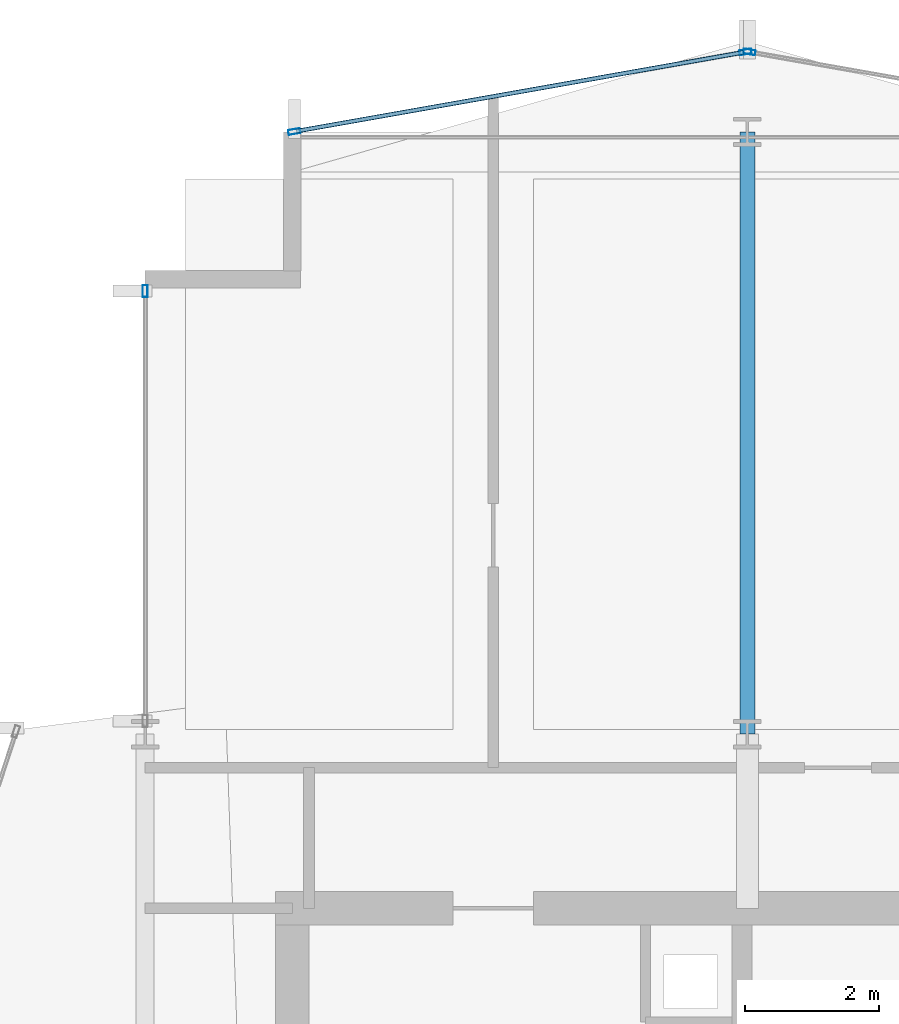
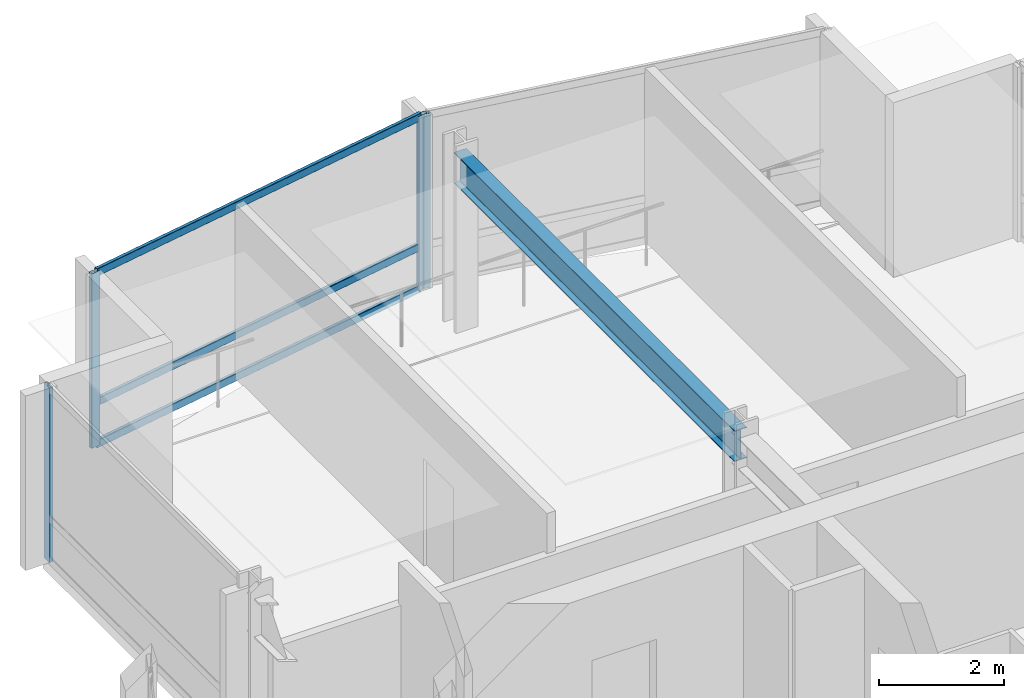
# One storey, part 19 of 28: 7 members, 1 beam, 3 elements without a shape of their own.
"""IFC4 building model written with IfcOpenShell, lengths in metres."""

from ifc_helpers import new_model, si_unit, direction, frame, origin, origin_2d, place, context, subcontext, project, spatial, hollow_rectangle, i_section, extrude, material, layer, layer_set, material_profile, profile_set, type_object, element, aggregate, save


model = new_model("IFC4")

# Units and contexts
model_context = context("Model", 3, precision=1e-05, world=origin(), true_north=direction((0.0, 1.0)))
body_context = subcontext(model_context, "Body", "Model", "MODEL_VIEW")
ifc_project = project(units=[si_unit("LENGTHUNIT", "METRE"), si_unit("AREAUNIT", "SQUARE_METRE"), si_unit("VOLUMEUNIT", "CUBIC_METRE"), si_unit("PLANEANGLEUNIT", "RADIAN"), si_unit("MASSUNIT", "GRAM", prefix="KILO")], contexts=[model_context])

# Site, building, storey
site_placement = place(None, origin())
site = spatial("IfcSite", under=ifc_project, at=site_placement, CompositionType="ELEMENT")
building_placement = place(site_placement, origin())
building = spatial("IfcBuilding", under=site, at=building_placement, Name="Solvaryn Broadcast Tower", CompositionType="ELEMENT")
storey_placement = place(building_placement, frame((0.0, 0.0, 150.699951171875)))
storey = spatial("IfcBuildingStorey", under=building, at=storey_placement, Name="L37", CompositionType="ELEMENT", Elevation=150.699951171875)

# Beam
ifc_material_1 = material(Name="Steel ASTM A992 Grade 50", Category="steel")
ifc_material_profile_1 = material_profile(ifc_material_1, i_section(OverallWidth=0.22802734375, OverallDepth=0.60791015625, WebThickness=0.01123046875, FlangeThickness=0.017333984375, FilletRadius=0.014892578125, at=origin_2d()))
ifc_profile_set_1 = profile_set([ifc_material_profile_1], Name="Steel ASTM A992 Grade 50")
beam_type = type_object("IfcBeamType", Name="BM-B2-W24X76", PredefinedType="BEAM", material=ifc_profile_set_1)
beam_placement = place(storey_placement, frame((18.0, 45.0, 3.115966796875), z_axis=(0.0, 1.0, 0.0), x_axis=(-1.0, 0.0, 0.0)))
element("IfcBeam", 1, at=beam_placement, inside=storey, type_object=beam_type, Name="L37 Primary Beam Y (45-54 @ X=18)", PredefinedType="BEAM", context=body_context, shape_type="SweptSolid", body=[
    extrude(i_section(OverallWidth=0.22802734375, OverallDepth=0.60791015625, WebThickness=0.01123046875, FlangeThickness=0.017333984375, FilletRadius=0.014892578125, at=origin_2d()), origin(), (0.0, 0.0, 1.0), 9.0),
])

# Curtain wall, member
ifc_material_2 = material(Name="Aluminium and Terracotta Unitised Curtain Wall", Category="masonry")
ifc_layer = layer(ifc_material_2, 0.199951171875)
ifc_layer_set = layer_set([ifc_layer], Name="CW-SYS2-LOWMID")
curtain_wall_type = type_object("IfcCurtainWallType", Name="CW-SYS2-LOWMID", PredefinedType="NOTDEFINED", material=ifc_layer_set)
curtain_wall_1_placement = place(storey_placement, origin())
curtain_wall_1 = element("IfcCurtainWall", 2, at=curtain_wall_1_placement, inside=storey, type_object=curtain_wall_type, Name="L37 Curtain Wall W2", PredefinedType="NOTDEFINED")
ifc_material_3 = material(Name="Anodised Aluminium 6063-T6", Category="aluminium")
ifc_material_profile_2 = material_profile(ifc_material_3, hollow_rectangle(XDim=0.074951171875, YDim=0.179931640625, WallThickness=0.00390625, InnerFilletRadius=0.00390625, OuterFilletRadius=0.008056640625, at=origin_2d()))
ifc_profile_set_2 = profile_set([ifc_material_profile_2], Name="Anodised Aluminium 6063-T6")
member_type_1 = type_object("IfcMemberType", Name="CW-MUL-180", PredefinedType="MULLION", material=ifc_profile_set_2)
member_1_placement = place(storey_placement, frame((9.0, 51.6201171875, 0.0), z_axis=(0.0, 0.0, 1.0), x_axis=(-1.0, 0.0, 0.0)))
member_1 = element("IfcMember", 3, at=member_1_placement, type_object=member_type_1, Name="CWS2 mullion 2", PredefinedType="MULLION", context=body_context, shape_type="SweptSolid", body=[
    extrude(hollow_rectangle(XDim=0.074951171875, YDim=0.179931640625, WallThickness=0.00390625, InnerFilletRadius=0.00390625, OuterFilletRadius=0.008056640625, at=origin_2d()), origin(), (0.0, 0.0, 1.0), 3.420166015625),
])
aggregate(curtain_wall_1, [member_1])

curtain_wall_2_placement = place(storey_placement, origin())
curtain_wall_2 = element("IfcCurtainWall", 4, at=curtain_wall_2_placement, inside=storey, type_object=curtain_wall_type, Name="L37 Curtain Wall NT1", PredefinedType="NOTDEFINED")
member_2_placement = place(storey_placement, frame((18.029541015625, 55.19482421875, 0.0), z_axis=(0.0, 0.0, 1.0), x_axis=(-0.173785333901, -0.984783558819, 0.0)))
member_2 = element("IfcMember", 5, at=member_2_placement, type_object=member_type_1, Name="CWS2 mullion 2", PredefinedType="MULLION", context=body_context, shape_type="SweptSolid", body=[
    extrude(hollow_rectangle(XDim=0.074951171875, YDim=0.179931640625, WallThickness=0.00390625, InnerFilletRadius=0.00390625, OuterFilletRadius=0.008056640625, at=origin_2d()), origin(), (0.0, 0.0, 1.0), 3.420166015625),
])
aggregate(curtain_wall_2, [member_2])

# Curtain wall, members
curtain_wall_3_placement = place(storey_placement, origin())
curtain_wall_3 = element("IfcCurtainWall", 6, at=curtain_wall_3_placement, inside=storey, type_object=curtain_wall_type, Name="L37 Curtain Wall NT2", PredefinedType="NOTDEFINED")
member_3_placement = place(storey_placement, frame((17.970458984375, 55.19482421875, 0.0), z_axis=(0.0, 0.0, 1.0), x_axis=(0.173785333901, -0.984783558819, 0.0)))
member_3 = element("IfcMember", 7, at=member_3_placement, type_object=member_type_1, Name="CWS2 mullion 1", PredefinedType="MULLION", context=body_context, shape_type="SweptSolid", body=[
    extrude(hollow_rectangle(XDim=0.074951171875, YDim=0.179931640625, WallThickness=0.00390625, InnerFilletRadius=0.00390625, OuterFilletRadius=0.008056640625, at=origin_2d()), origin(), (0.0, 0.0, 1.0), 3.420166015625),
])
member_4_placement = place(storey_placement, frame((11.2294921875, 54.005126953125, 0.0), z_axis=(0.0, 0.0, 1.0), x_axis=(0.173785333901, -0.984783558819, 0.0)))
member_4 = element("IfcMember", 8, at=member_4_placement, type_object=member_type_1, Name="CWS2 mullion 2", PredefinedType="MULLION", context=body_context, shape_type="SweptSolid", body=[
    extrude(hollow_rectangle(XDim=0.074951171875, YDim=0.179931640625, WallThickness=0.00390625, InnerFilletRadius=0.00390625, OuterFilletRadius=0.008056640625, at=origin_2d()), origin(), (0.0, 0.0, 1.0), 3.420166015625),
])
ifc_material_4 = material(Name="Anodised Aluminium 6063-T6", Category="aluminium")
ifc_material_profile_3 = material_profile(ifc_material_4, hollow_rectangle(XDim=0.06494140625, YDim=0.14990234375, WallThickness=0.00390625, InnerFilletRadius=0.00390625, OuterFilletRadius=0.008056640625, at=origin_2d()))
ifc_profile_set_3 = profile_set([ifc_material_profile_3], Name="Anodised Aluminium 6063-T6")
member_type_2 = type_object("IfcMemberType", Name="CW-TRN-150", PredefinedType="USERDEFINED", material=ifc_profile_set_3)
member_5_placement = place(storey_placement, frame((17.94091796875, 55.189453125, 0.030029296875), z_axis=(-0.984788629673, -0.173756596613, 0.0), x_axis=(0.173756596613, -0.984788629673, 0.0)))
member_5 = element("IfcMember", 9, at=member_5_placement, type_object=member_type_2, Name="CWS2 transom 1.1", ObjectType="TRANSOM", PredefinedType="USERDEFINED", context=body_context, shape_type="SweptSolid", body=[
    extrude(hollow_rectangle(XDim=0.06494140625, YDim=0.14990234375, WallThickness=0.00390625, InnerFilletRadius=0.00390625, OuterFilletRadius=0.008056640625, at=origin_2d()), origin(), (0.0, 0.0, 1.0), 6.78515625),
])
member_6_placement = place(storey_placement, frame((17.94091796875, 55.189453125, 0.85009765625), z_axis=(-0.984788629673, -0.173756596613, 0.0), x_axis=(0.173756596613, -0.984788629673, 0.0)))
member_6 = element("IfcMember", 10, at=member_6_placement, type_object=member_type_2, Name="CWS2 transom 1.2", ObjectType="TRANSOM", PredefinedType="USERDEFINED", context=body_context, shape_type="SweptSolid", body=[
    extrude(hollow_rectangle(XDim=0.06494140625, YDim=0.14990234375, WallThickness=0.00390625, InnerFilletRadius=0.00390625, OuterFilletRadius=0.008056640625, at=origin_2d()), origin(), (0.0, 0.0, 1.0), 6.78515625),
])
member_7_placement = place(storey_placement, frame((17.94091796875, 55.189453125, 3.39013671875), z_axis=(-0.984788629673, -0.173756596613, 0.0), x_axis=(0.173756596613, -0.984788629673, 0.0)))
member_7 = element("IfcMember", 11, at=member_7_placement, type_object=member_type_2, Name="CWS2 transom 1.3", ObjectType="TRANSOM", PredefinedType="USERDEFINED", context=body_context, shape_type="SweptSolid", body=[
    extrude(hollow_rectangle(XDim=0.06494140625, YDim=0.14990234375, WallThickness=0.00390625, InnerFilletRadius=0.00390625, OuterFilletRadius=0.008056640625, at=origin_2d()), origin(), (0.0, 0.0, 1.0), 6.78515625),
])
aggregate(curtain_wall_3, [member_3, member_4, member_5, member_6, member_7])

save(model, "model.ifc")
